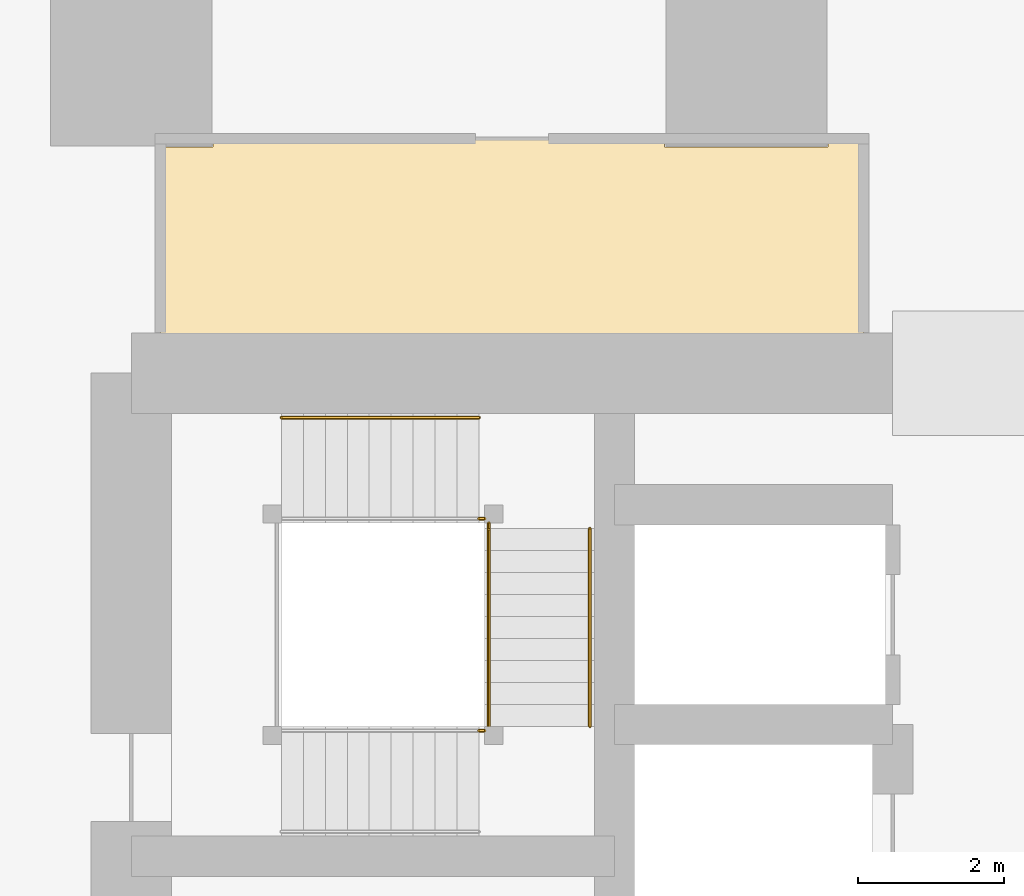
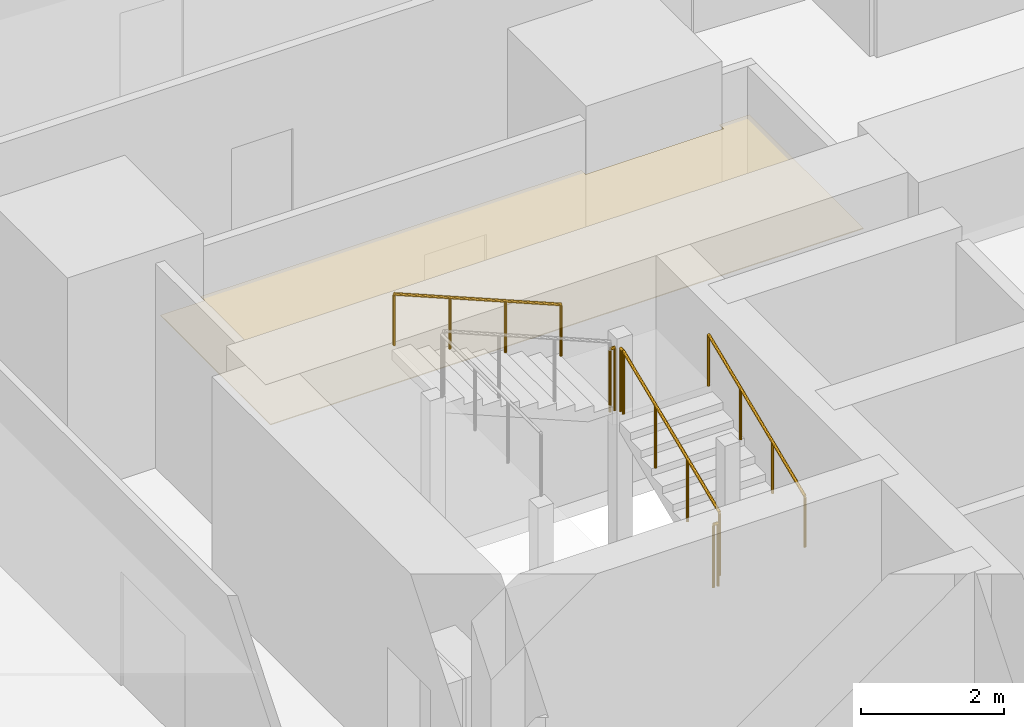
# One storey, part 41 of 44: 6 railings, 1 covering.
"""IFC4 building model written with IfcOpenShell, lengths in metres."""

from ifc_helpers import new_model, si_unit, direction, frame, origin, origin_2d, place, context, subcontext, project, spatial, polyline, circle, outline, extrude, material, layer, layer_set, type_object, element, save


model = new_model("IFC4")

# Units and contexts
model_context = context("Model", 3, precision=1e-05, world=origin(), true_north=direction((0.0, 1.0)))
body_context = subcontext(model_context, "Body", "Model", "MODEL_VIEW")
ifc_project = project(units=[si_unit("LENGTHUNIT", "METRE"), si_unit("AREAUNIT", "SQUARE_METRE"), si_unit("VOLUMEUNIT", "CUBIC_METRE"), si_unit("PLANEANGLEUNIT", "RADIAN"), si_unit("MASSUNIT", "GRAM", prefix="KILO")], contexts=[model_context])

# Site, building, storey
site_placement = place(None, origin())
site = spatial("IfcSite", under=ifc_project, at=site_placement, CompositionType="ELEMENT")
building_placement = place(site_placement, origin())
building = spatial("IfcBuilding", under=site, at=building_placement, Name="Rekha Terrace Tower", CompositionType="ELEMENT")
storey_placement = place(building_placement, frame((0.0, 0.0, 66.64990234375)))
storey = spatial("IfcBuildingStorey", under=building, at=storey_placement, Name="L16", CompositionType="ELEMENT", Elevation=66.64990234375)

# Covering
ifc_material_1 = material(Name="Fibre cement board", Category="finish")
ifc_layer = layer(ifc_material_1, 0.014892578125)
ifc_layer_set = layer_set([ifc_layer], Name="Fibre cement board")
covering_type = type_object("IfcCoveringType", Name="CL2 moisture-resistant board ceiling", PredefinedType="CEILING", material=ifc_layer_set)
covering_placement = place(storey_placement, frame((0.0, 0.0, 2.585205078125)))
element("IfcCovering", 1, at=covering_placement, inside=storey, type_object=covering_type, Name="Ceiling L16-WCF2", PredefinedType="CEILING", context=body_context, shape_type="SweptSolid", body=[
    extrude(outline(polyline([(26.31494140625, 49.284912109375), (25.60009765625, 49.284912109375), (25.60009765625, 46.199951171875), (35.199951171875, 46.199951171875), (35.199951171875, 49.39990234375), (34.715087890625, 49.39990234375), (34.715087890625, 49.284912109375), (32.485107421875, 49.284912109375), (32.485107421875, 49.39990234375), (26.31494140625, 49.39990234375), (26.31494140625, 49.284912109375)])), origin(), (0.0, 0.0, 1.0), 0.014892578125),
])

# Railings
ifc_material_2 = material(Name="Stainless steel balustrade", Category="steel")
railing_type_1 = type_object("IfcRailingType", Name="GR1 1100 stair guard", PredefinedType="GUARDRAIL", material=ifc_material_2)
railing_1_placement = place(storey_placement, frame((30.0849609375, 41.375, 1.375)))
element("IfcRailing", 2, at=railing_1_placement, inside=storey, type_object=railing_type_1, Name="Guard ST4 L16 flight 2", PredefinedType="GUARDRAIL", context=body_context, shape_type="SweptSolid", body=[
    extrude(circle(Radius=0.02392578125, at=origin_2d()), frame((0.0, 0.0, 1.076171875), z_axis=(0.0, 0.923074453586, 0.384621311341), x_axis=(-1.0, 0.0, 0.0)), (0.0, 0.0, 1.0), 2.925048828125),
    extrude(circle(Radius=0.02099609375, at=origin_2d()), origin(), (0.0, 0.0, 1.0), 1.052001953125),
    extrude(circle(Radius=0.02099609375, at=origin_2d()), frame((0.0, 0.89990234375, 0.375)), (0.0, 0.0, 1.0), 1.052001953125),
    extrude(circle(Radius=0.02099609375, at=origin_2d()), frame((0.0, 1.800048828125, 0.75)), (0.0, 0.0, 1.0), 1.052001953125),
    extrude(circle(Radius=0.02099609375, at=origin_2d()), frame((0.0, 2.699951171875, 1.125)), (0.0, 0.0, 1.0), 1.052001953125),
])
railing_2_placement = place(storey_placement, frame((29.949951171875, 41.31494140625, 1.25)))
element("IfcRailing", 3, at=railing_2_placement, inside=storey, type_object=railing_type_1, Name="Guard ST4 L16 landing 1", PredefinedType="GUARDRAIL", context=body_context, shape_type="SweptSolid", body=[
    extrude(circle(Radius=0.02392578125, at=origin_2d()), frame((0.0, 0.0, 1.076171875), z_axis=(1.0, 0.0, 0.0), x_axis=(0.0, 1.0, 0.0)), (0.0, 0.0, 1.0), 0.074951171875),
    extrude(circle(Radius=0.02099609375, at=origin_2d()), origin(), (0.0, 0.0, 1.0), 1.052001953125),
    extrude(circle(Radius=0.02099609375, at=origin_2d()), frame((0.074951171875, 0.0, 0.0)), (0.0, 0.0, 1.0), 1.052001953125),
])
railing_3_placement = place(storey_placement, frame((30.0849609375, 44.074951171875, 2.5)))
element("IfcRailing", 4, at=railing_3_placement, inside=storey, type_object=railing_type_1, Name="Guard ST4 L16 landing 2", PredefinedType="GUARDRAIL", context=body_context, shape_type="SweptSolid", body=[
    extrude(circle(Radius=0.02392578125, at=origin_2d()), frame((0.0, 0.0, 1.076171875), z_axis=(0.0, 1.0, 0.0), x_axis=(-1.0, 0.0, 0.0)), (0.0, 0.0, 1.0), 0.074951171875),
    extrude(circle(Radius=0.02099609375, at=origin_2d()), origin(), (0.0, 0.0, 1.0), 1.052001953125),
    extrude(circle(Radius=0.02099609375, at=origin_2d()), frame((0.0, 0.074951171875, 0.0)), (0.0, 0.0, 1.0), 1.052001953125),
])
railing_4_placement = place(storey_placement, frame((29.949951171875, 44.2099609375, 2.5)))
element("IfcRailing", 5, at=railing_4_placement, inside=storey, type_object=railing_type_1, Name="Guard ST4 L16 landing 3", PredefinedType="GUARDRAIL", context=body_context, shape_type="SweptSolid", body=[
    extrude(circle(Radius=0.02392578125, at=origin_2d()), frame((0.0, 0.0, 1.076171875), z_axis=(1.0, 0.0, 0.0), x_axis=(0.0, 1.0, 0.0)), (0.0, 0.0, 1.0), 0.074951171875),
    extrude(circle(Radius=0.02099609375, at=origin_2d()), origin(), (0.0, 0.0, 1.0), 1.052001953125),
    extrude(circle(Radius=0.02099609375, at=origin_2d()), frame((0.074951171875, 0.0, 0.0)), (0.0, 0.0, 1.0), 1.052001953125),
])
ifc_material_3 = material(Name="Stainless steel tube", Category="steel")
railing_type_2 = type_object("IfcRailingType", Name="HR1 900 stair handrail", PredefinedType="HANDRAIL", material=ifc_material_3)
railing_5_placement = place(storey_placement, frame((31.465087890625, 41.375, 1.375)))
element("IfcRailing", 6, at=railing_5_placement, inside=storey, type_object=railing_type_2, Name="Handrail ST4 L16 flight 2", PredefinedType="HANDRAIL", context=body_context, shape_type="SweptSolid", body=[
    extrude(circle(Radius=0.02392578125, at=origin_2d()), frame((0.0, 0.0, 0.8759765625), z_axis=(0.0, 0.923074453586, 0.384621311341), x_axis=(-1.0, 0.0, 0.0)), (0.0, 0.0, 1.0), 2.925048828125),
    extrude(circle(Radius=0.02099609375, at=origin_2d()), origin(), (0.0, 0.0, 1.0), 0.851806640625),
    extrude(circle(Radius=0.02099609375, at=origin_2d()), frame((0.0, 0.89990234375, 0.375)), (0.0, 0.0, 1.0), 0.851806640625),
    extrude(circle(Radius=0.02099609375, at=origin_2d()), frame((0.0, 1.800048828125, 0.75)), (0.0, 0.0, 1.0), 0.851806640625),
    extrude(circle(Radius=0.02099609375, at=origin_2d()), frame((0.0, 2.699951171875, 1.125)), (0.0, 0.0, 1.0), 0.851806640625),
])
railing_6_placement = place(storey_placement, frame((29.949951171875, 45.590087890625, 2.625)))
element("IfcRailing", 7, at=railing_6_placement, inside=storey, type_object=railing_type_2, Name="Handrail ST4 L16 flight 3", PredefinedType="HANDRAIL", context=body_context, shape_type="SweptSolid", body=[
    extrude(circle(Radius=0.02392578125, at=origin_2d()), frame((0.0, 0.0, 0.8759765625), z_axis=(-0.923074453586, 0.0, 0.384621311341), x_axis=(0.0, -1.0, 0.0)), (0.0, 0.0, 1.0), 2.925048828125),
    extrude(circle(Radius=0.02099609375, at=origin_2d()), origin(), (0.0, 0.0, 1.0), 0.851806640625),
    extrude(circle(Radius=0.02099609375, at=origin_2d()), frame((-0.89990234375, 0.0, 0.375)), (0.0, 0.0, 1.0), 0.851806640625),
    extrude(circle(Radius=0.02099609375, at=origin_2d()), frame((-1.800048828125, 0.0, 0.75)), (0.0, 0.0, 1.0), 0.851806640625),
    extrude(circle(Radius=0.02099609375, at=origin_2d()), frame((-2.699951171875, 0.0, 1.125)), (0.0, 0.0, 1.0), 0.851806640625),
])

save(model, "model.ifc")
